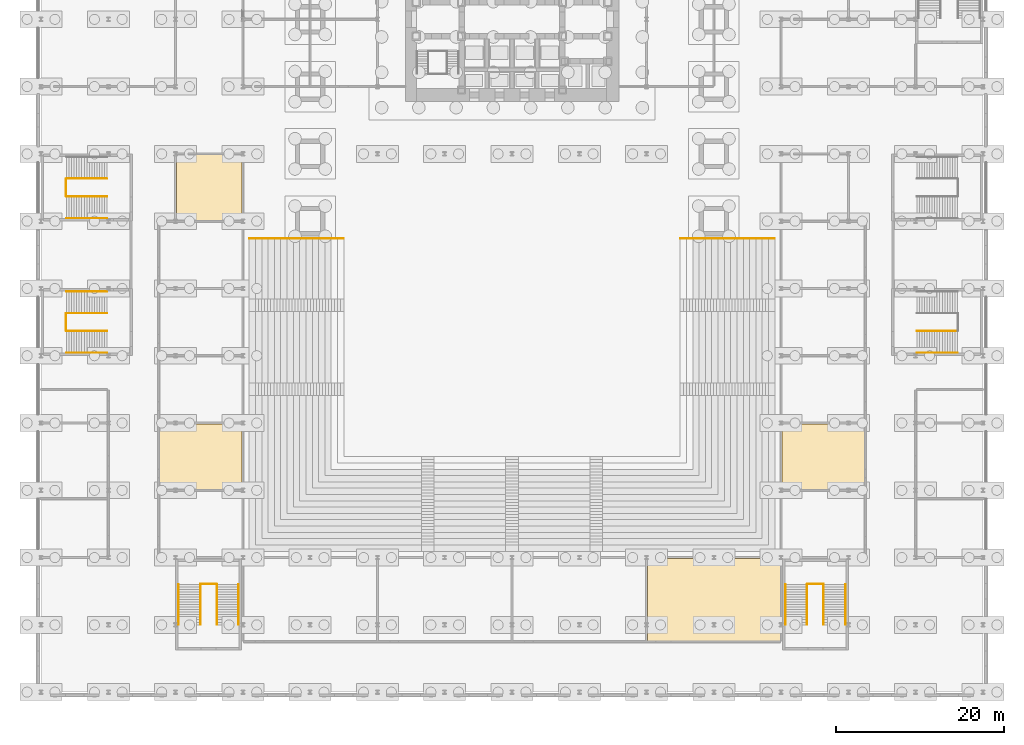
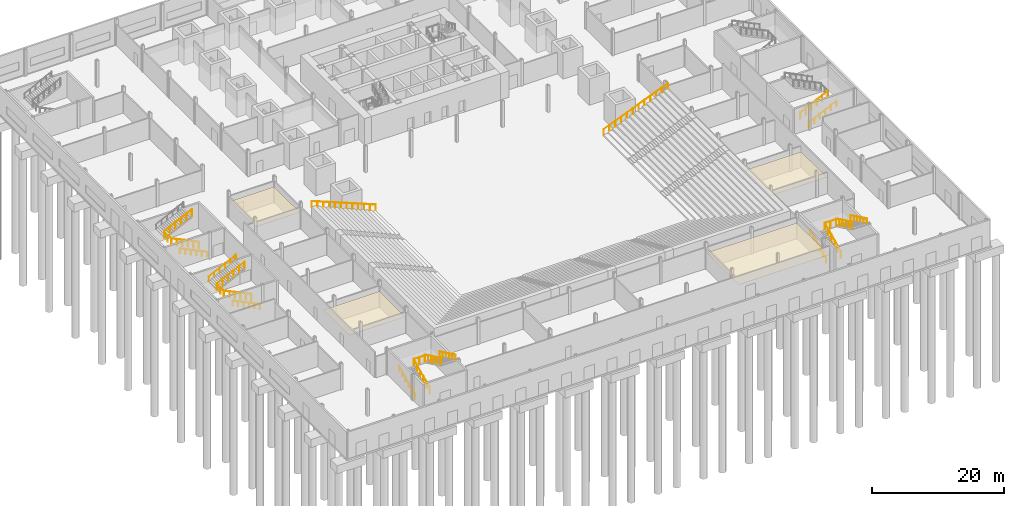
# One storey, part 21 of 24: 23 railings, 4 coverings.
"""IFC4 building model written with IfcOpenShell, lengths in metres."""

from ifc_helpers import new_model, si_unit, direction, frame, origin, origin_2d, place, context, subcontext, project, spatial, polyline, circle, outline, extrude, material, layer, layer_set, type_object, element, save


model = new_model("IFC4")

# Units and contexts
model_context = context("Model", 3, precision=1e-05, world=origin(), true_north=direction((0.0, 1.0)))
body_context = subcontext(model_context, "Body", "Model", "MODEL_VIEW")
ifc_project = project(units=[si_unit("LENGTHUNIT", "METRE"), si_unit("AREAUNIT", "SQUARE_METRE"), si_unit("VOLUMEUNIT", "CUBIC_METRE"), si_unit("PLANEANGLEUNIT", "RADIAN"), si_unit("MASSUNIT", "GRAM", prefix="KILO")], contexts=[model_context])

# Site, building, storey
site_placement = place(None, origin())
site = spatial("IfcSite", under=ifc_project, at=site_placement, CompositionType="ELEMENT")
building_placement = place(site_placement, origin())
building = spatial("IfcBuilding", under=site, at=building_placement, Name="Daluyong Arena Tower", CompositionType="ELEMENT")
storey_placement = place(building_placement, origin())
storey = spatial("IfcBuildingStorey", under=building, at=storey_placement, Name="L00", CompositionType="ELEMENT", Elevation=0.0)

# Railings
ifc_material_1 = material(Name="Steel guard with glass infill", Category="steel")
railing_type_1 = type_object("IfcRailingType", Name="Floor edge guard 1100", PredefinedType="GUARDRAIL", material=ifc_material_1)
railing_1_placement = place(storey_placement, frame((36.0, 53.949951171875, 0.32666015625)))
element("IfcRailing", 1, at=railing_1_placement, inside=storey, type_object=railing_type_1, Name="bowl guard", PredefinedType="GUARDRAIL", context=body_context, shape_type="SweptSolid", body=[
    extrude(circle(Radius=0.02392578125, at=origin_2d()), frame((0.0, 0.0, 1.076171875), z_axis=(-0.92638243152, 0.0, 0.37658410823), x_axis=(0.0, -1.0, 0.0)), (0.0, 0.0, 1.0), 12.14404296875),
    extrude(circle(Radius=0.02099609375, at=origin_2d()), origin(), (0.0, 0.0, 1.0), 1.052001953125),
    extrude(circle(Radius=0.02099609375, at=origin_2d()), frame((-1.022705078125, 0.0, 0.415771484375)), (0.0, 0.0, 1.0), 1.052001953125),
    extrude(circle(Radius=0.02099609375, at=origin_2d()), frame((-2.04541015625, 0.0, 0.83154296875)), (0.0, 0.0, 1.0), 1.052001953125),
    extrude(circle(Radius=0.02099609375, at=origin_2d()), frame((-3.068115234375, 0.0, 1.247314453125)), (0.0, 0.0, 1.0), 1.052001953125),
    extrude(circle(Radius=0.02099609375, at=origin_2d()), frame((-4.0908203125, 0.0, 1.6630859375)), (0.0, 0.0, 1.0), 1.052001953125),
    extrude(circle(Radius=0.02099609375, at=origin_2d()), frame((-5.113525390625, 0.0, 2.078857421875)), (0.0, 0.0, 1.0), 1.052001953125),
    extrude(circle(Radius=0.02099609375, at=origin_2d()), frame((-6.136474609375, 0.0, 2.494384765625)), (0.0, 0.0, 1.0), 1.052001953125),
    extrude(circle(Radius=0.02099609375, at=origin_2d()), frame((-7.1591796875, 0.0, 2.91015625)), (0.0, 0.0, 1.0), 1.052001953125),
    extrude(circle(Radius=0.02099609375, at=origin_2d()), frame((-8.181884765625, 0.0, 3.325927734375)), (0.0, 0.0, 1.0), 1.052001953125),
    extrude(circle(Radius=0.02099609375, at=origin_2d()), frame((-9.20458984375, 0.0, 3.74169921875)), (0.0, 0.0, 1.0), 1.052001953125),
    extrude(circle(Radius=0.02099609375, at=origin_2d()), frame((-10.227294921875, 0.0, 4.157470703125)), (0.0, 0.0, 1.0), 1.052001953125),
    extrude(circle(Radius=0.02099609375, at=origin_2d()), frame((-11.25, 0.0, 4.5732421875)), (0.0, 0.0, 1.0), 1.052001953125),
])
railing_2_placement = place(storey_placement, frame((76.0, 53.949951171875, 0.32666015625)))
element("IfcRailing", 2, at=railing_2_placement, inside=storey, type_object=railing_type_1, Name="bowl guard", PredefinedType="GUARDRAIL", context=body_context, shape_type="SweptSolid", body=[
    extrude(circle(Radius=0.02392578125, at=origin_2d()), frame((0.0, 0.0, 1.076171875), z_axis=(0.92638243152, 0.0, 0.37658410823), x_axis=(0.0, 1.0, 0.0)), (0.0, 0.0, 1.0), 12.14404296875),
    extrude(circle(Radius=0.02099609375, at=origin_2d()), origin(), (0.0, 0.0, 1.0), 1.052001953125),
    extrude(circle(Radius=0.02099609375, at=origin_2d()), frame((1.022705078125, 0.0, 0.415771484375)), (0.0, 0.0, 1.0), 1.052001953125),
    extrude(circle(Radius=0.02099609375, at=origin_2d()), frame((2.04541015625, 0.0, 0.83154296875)), (0.0, 0.0, 1.0), 1.052001953125),
    extrude(circle(Radius=0.02099609375, at=origin_2d()), frame((3.068115234375, 0.0, 1.247314453125)), (0.0, 0.0, 1.0), 1.052001953125),
    extrude(circle(Radius=0.02099609375, at=origin_2d()), frame((4.0908203125, 0.0, 1.6630859375)), (0.0, 0.0, 1.0), 1.052001953125),
    extrude(circle(Radius=0.02099609375, at=origin_2d()), frame((5.113525390625, 0.0, 2.078857421875)), (0.0, 0.0, 1.0), 1.052001953125),
    extrude(circle(Radius=0.02099609375, at=origin_2d()), frame((6.136474609375, 0.0, 2.494384765625)), (0.0, 0.0, 1.0), 1.052001953125),
    extrude(circle(Radius=0.02099609375, at=origin_2d()), frame((7.1591796875, 0.0, 2.91015625)), (0.0, 0.0, 1.0), 1.052001953125),
    extrude(circle(Radius=0.02099609375, at=origin_2d()), frame((8.181884765625, 0.0, 3.325927734375)), (0.0, 0.0, 1.0), 1.052001953125),
    extrude(circle(Radius=0.02099609375, at=origin_2d()), frame((9.20458984375, 0.0, 3.74169921875)), (0.0, 0.0, 1.0), 1.052001953125),
    extrude(circle(Radius=0.02099609375, at=origin_2d()), frame((10.227294921875, 0.0, 4.157470703125)), (0.0, 0.0, 1.0), 1.052001953125),
    extrude(circle(Radius=0.02099609375, at=origin_2d()), frame((11.25, 0.0, 4.5732421875)), (0.0, 0.0, 1.0), 1.052001953125),
])

# Coverings
ifc_material_2 = material(Name="Mineral fibre ceiling tile", Category="gypsum board")
ifc_layer = layer(ifc_material_2, 0.02001953125)
ifc_layer_set = layer_set([ifc_layer], Name="Mineral fibre ceiling tile")
covering_type = type_object("IfcCoveringType", Name="Office ceiling", PredefinedType="CEILING", material=ifc_layer_set)
covering_1_placement = place(storey_placement, frame((0.0, 0.0, 2.89990234375)))
element("IfcCovering", 3, at=covering_1_placement, inside=storey, type_object=covering_type, Name="ceiling L00-16", PredefinedType="CEILING", context=body_context, shape_type="SweptSolid", body=[
    extrude(outline(polyline([(23.89990234375, 56.10009765625), (23.89990234375, 63.89990234375), (16.10009765625, 63.89990234375), (16.10009765625, 56.10009765625), (23.89990234375, 56.10009765625)])), origin(), (0.0, 0.0, 1.0), 0.02001953125),
])
covering_2_placement = place(storey_placement, frame((0.0, 0.0, 2.89990234375)))
element("IfcCovering", 4, at=covering_2_placement, inside=storey, type_object=covering_type, Name="ceiling L00-26", PredefinedType="CEILING", context=body_context, shape_type="SweptSolid", body=[
    extrude(outline(polyline([(23.89990234375, 24.10009765625), (23.89990234375, 31.89990234375), (14.10009765625, 31.89990234375), (14.10009765625, 24.10009765625), (23.89990234375, 24.10009765625)])), origin(), (0.0, 0.0, 1.0), 0.02001953125),
])
covering_3_placement = place(storey_placement, frame((0.0, 0.0, 2.89990234375)))
element("IfcCovering", 5, at=covering_3_placement, inside=storey, type_object=covering_type, Name="ceiling L00-31", PredefinedType="CEILING", context=body_context, shape_type="SweptSolid", body=[
    extrude(outline(polyline([(97.89990234375, 24.10009765625), (97.89990234375, 31.89990234375), (88.10009765625, 31.89990234375), (88.10009765625, 24.10009765625), (97.89990234375, 24.10009765625)])), origin(), (0.0, 0.0, 1.0), 0.02001953125),
])
covering_4_placement = place(storey_placement, frame((0.0, 0.0, 2.89990234375)))
element("IfcCovering", 6, at=covering_4_placement, inside=storey, type_object=covering_type, Name="ceiling L00-38", PredefinedType="CEILING", context=body_context, shape_type="SweptSolid", body=[
    extrude(outline(polyline([(87.89990234375, 6.10009765625), (87.89990234375, 15.89990234375), (72.10009765625, 15.89990234375), (72.10009765625, 6.10009765625), (87.89990234375, 6.10009765625)])), origin(), (0.0, 0.0, 1.0), 0.02001953125),
])

# Railings
ifc_material_3 = material(Name="Stainless steel handrail", Category="steel")
railing_type_2 = type_object("IfcRailingType", Name="Stair handrail", PredefinedType="HANDRAIL", material=ifc_material_3)
railing_3_placement = place(storey_placement, frame((16.35009765625, 8.010009765625, 0.14404296875)))
element("IfcRailing", 7, at=railing_3_placement, inside=storey, type_object=railing_type_2, Name="exit stair PS1 handrail L00", PredefinedType="HANDRAIL", context=body_context, shape_type="SweptSolid", body=[
    extrude(circle(Radius=0.02392578125, at=origin_2d()), frame((0.0, 0.0, 0.8759765625), z_axis=(0.0, 0.901384935985, 0.433018703036), x_axis=(-1.0, 0.0, 0.0)), (0.0, 0.0, 1.0), 5.3251953125),
    extrude(circle(Radius=0.02099609375, at=origin_2d()), origin(), (0.0, 0.0, 1.0), 0.851806640625),
    extrude(circle(Radius=0.02099609375, at=origin_2d()), frame((0.0, 0.9599609375, 0.461181640625)), (0.0, 0.0, 1.0), 0.851806640625),
    extrude(circle(Radius=0.02099609375, at=origin_2d()), frame((0.0, 1.919921875, 0.92236328125)), (0.0, 0.0, 1.0), 0.851806640625),
    extrude(circle(Radius=0.02099609375, at=origin_2d()), frame((0.0, 2.880126953125, 1.383544921875)), (0.0, 0.0, 1.0), 0.851806640625),
    extrude(circle(Radius=0.02099609375, at=origin_2d()), frame((0.0, 3.840087890625, 1.8447265625)), (0.0, 0.0, 1.0), 0.851806640625),
    extrude(circle(Radius=0.02099609375, at=origin_2d()), frame((0.0, 4.800048828125, 2.305908203125)), (0.0, 0.0, 1.0), 0.851806640625),
])
railing_4_placement = place(storey_placement, frame((23.5, 12.81005859375, 2.59423828125)))
element("IfcRailing", 8, at=railing_4_placement, inside=storey, type_object=railing_type_2, Name="exit stair PS1 handrail L00", PredefinedType="HANDRAIL", context=body_context, shape_type="SweptSolid", body=[
    extrude(circle(Radius=0.02392578125, at=origin_2d()), frame((0.0, 0.0, 0.8759765625), z_axis=(0.0, -0.901402830156, 0.432981452011), x_axis=(1.0, 0.0, 0.0)), (0.0, 0.0, 1.0), 5.3251953125),
    extrude(circle(Radius=0.02099609375, at=origin_2d()), origin(), (0.0, 0.0, 1.0), 0.851806640625),
    extrude(circle(Radius=0.02099609375, at=origin_2d()), frame((0.0, -0.9599609375, 0.461181640625)), (0.0, 0.0, 1.0), 0.851806640625),
    extrude(circle(Radius=0.02099609375, at=origin_2d()), frame((0.0, -1.919921875, 0.92236328125)), (0.0, 0.0, 1.0), 0.851806640625),
    extrude(circle(Radius=0.02099609375, at=origin_2d()), frame((0.0, -2.880126953125, 1.38330078125)), (0.0, 0.0, 1.0), 0.851806640625),
    extrude(circle(Radius=0.02099609375, at=origin_2d()), frame((0.0, -3.840087890625, 1.844482421875)), (0.0, 0.0, 1.0), 0.851806640625),
    extrude(circle(Radius=0.02099609375, at=origin_2d()), frame((0.0, -4.800048828125, 2.3056640625)), (0.0, 0.0, 1.0), 0.851806640625),
])
railing_5_placement = place(storey_placement, frame((88.5, 8.010009765625, 0.14404296875)))
element("IfcRailing", 9, at=railing_5_placement, inside=storey, type_object=railing_type_2, Name="exit stair PS2 handrail L00", PredefinedType="HANDRAIL", context=body_context, shape_type="SweptSolid", body=[
    extrude(circle(Radius=0.02392578125, at=origin_2d()), frame((0.0, 0.0, 0.8759765625), z_axis=(0.0, 0.901384935985, 0.433018703036), x_axis=(-1.0, 0.0, 0.0)), (0.0, 0.0, 1.0), 5.3251953125),
    extrude(circle(Radius=0.02099609375, at=origin_2d()), origin(), (0.0, 0.0, 1.0), 0.851806640625),
    extrude(circle(Radius=0.02099609375, at=origin_2d()), frame((0.0, 0.9599609375, 0.461181640625)), (0.0, 0.0, 1.0), 0.851806640625),
    extrude(circle(Radius=0.02099609375, at=origin_2d()), frame((0.0, 1.919921875, 0.92236328125)), (0.0, 0.0, 1.0), 0.851806640625),
    extrude(circle(Radius=0.02099609375, at=origin_2d()), frame((0.0, 2.880126953125, 1.383544921875)), (0.0, 0.0, 1.0), 0.851806640625),
    extrude(circle(Radius=0.02099609375, at=origin_2d()), frame((0.0, 3.840087890625, 1.8447265625)), (0.0, 0.0, 1.0), 0.851806640625),
    extrude(circle(Radius=0.02099609375, at=origin_2d()), frame((0.0, 4.800048828125, 2.305908203125)), (0.0, 0.0, 1.0), 0.851806640625),
])
railing_6_placement = place(storey_placement, frame((95.64990234375, 12.81005859375, 2.59423828125)))
element("IfcRailing", 10, at=railing_6_placement, inside=storey, type_object=railing_type_2, Name="exit stair PS2 handrail L00", PredefinedType="HANDRAIL", context=body_context, shape_type="SweptSolid", body=[
    extrude(circle(Radius=0.02392578125, at=origin_2d()), frame((0.0, 0.0, 0.8759765625), z_axis=(0.0, -0.901402830156, 0.432981452011), x_axis=(1.0, 0.0, 0.0)), (0.0, 0.0, 1.0), 5.3251953125),
    extrude(circle(Radius=0.02099609375, at=origin_2d()), origin(), (0.0, 0.0, 1.0), 0.851806640625),
    extrude(circle(Radius=0.02099609375, at=origin_2d()), frame((0.0, -0.9599609375, 0.461181640625)), (0.0, 0.0, 1.0), 0.851806640625),
    extrude(circle(Radius=0.02099609375, at=origin_2d()), frame((0.0, -1.919921875, 0.92236328125)), (0.0, 0.0, 1.0), 0.851806640625),
    extrude(circle(Radius=0.02099609375, at=origin_2d()), frame((0.0, -2.880126953125, 1.38330078125)), (0.0, 0.0, 1.0), 0.851806640625),
    extrude(circle(Radius=0.02099609375, at=origin_2d()), frame((0.0, -3.840087890625, 1.844482421875)), (0.0, 0.0, 1.0), 0.851806640625),
    extrude(circle(Radius=0.02099609375, at=origin_2d()), frame((0.0, -4.800048828125, 2.3056640625)), (0.0, 0.0, 1.0), 0.851806640625),
])
railing_7_placement = place(storey_placement, frame((7.840087890625, 40.35009765625, 0.14404296875)))
element("IfcRailing", 11, at=railing_7_placement, inside=storey, type_object=railing_type_2, Name="exit stair PS3 handrail L00", PredefinedType="HANDRAIL", context=body_context, shape_type="SweptSolid", body=[
    extrude(circle(Radius=0.02392578125, at=origin_2d()), frame((0.0, 0.0, 0.8759765625), z_axis=(-0.901384935985, 0.0, 0.433018703036), x_axis=(0.0, -1.0, 0.0)), (0.0, 0.0, 1.0), 5.3251953125),
    extrude(circle(Radius=0.02099609375, at=origin_2d()), origin(), (0.0, 0.0, 1.0), 0.851806640625),
    extrude(circle(Radius=0.02099609375, at=origin_2d()), frame((-0.9599609375, 0.0, 0.461181640625)), (0.0, 0.0, 1.0), 0.851806640625),
    extrude(circle(Radius=0.02099609375, at=origin_2d()), frame((-1.919921875, 0.0, 0.92236328125)), (0.0, 0.0, 1.0), 0.851806640625),
    extrude(circle(Radius=0.02099609375, at=origin_2d()), frame((-2.880126953125, 0.0, 1.383544921875)), (0.0, 0.0, 1.0), 0.851806640625),
    extrude(circle(Radius=0.02099609375, at=origin_2d()), frame((-3.840087890625, 0.0, 1.8447265625)), (0.0, 0.0, 1.0), 0.851806640625),
    extrude(circle(Radius=0.02099609375, at=origin_2d()), frame((-4.800048828125, 0.0, 2.305908203125)), (0.0, 0.0, 1.0), 0.851806640625),
])
railing_8_placement = place(storey_placement, frame((3.0400390625, 47.64990234375, 2.59423828125)))
element("IfcRailing", 12, at=railing_8_placement, inside=storey, type_object=railing_type_2, Name="exit stair PS3 handrail L00", PredefinedType="HANDRAIL", context=body_context, shape_type="SweptSolid", body=[
    extrude(circle(Radius=0.02392578125, at=origin_2d()), frame((0.0, 0.0, 0.8759765625), z_axis=(0.901402830156, 0.0, 0.432981452011), x_axis=(0.0, 1.0, 0.0)), (0.0, 0.0, 1.0), 5.3251953125),
    extrude(circle(Radius=0.02099609375, at=origin_2d()), origin(), (0.0, 0.0, 1.0), 0.851806640625),
    extrude(circle(Radius=0.02099609375, at=origin_2d()), frame((0.9599609375, 0.0, 0.461181640625)), (0.0, 0.0, 1.0), 0.851806640625),
    extrude(circle(Radius=0.02099609375, at=origin_2d()), frame((1.919921875, 0.0, 0.92236328125)), (0.0, 0.0, 1.0), 0.851806640625),
    extrude(circle(Radius=0.02099609375, at=origin_2d()), frame((2.880126953125, 0.0, 1.38330078125)), (0.0, 0.0, 1.0), 0.851806640625),
    extrude(circle(Radius=0.02099609375, at=origin_2d()), frame((3.840087890625, 0.0, 1.844482421875)), (0.0, 0.0, 1.0), 0.851806640625),
    extrude(circle(Radius=0.02099609375, at=origin_2d()), frame((4.800048828125, 0.0, 2.3056640625)), (0.0, 0.0, 1.0), 0.851806640625),
])
railing_9_placement = place(storey_placement, frame((104.159912109375, 40.35009765625, 0.14404296875)))
element("IfcRailing", 13, at=railing_9_placement, inside=storey, type_object=railing_type_2, Name="exit stair PS4 handrail L00", PredefinedType="HANDRAIL", context=body_context, shape_type="SweptSolid", body=[
    extrude(circle(Radius=0.02392578125, at=origin_2d()), frame((0.0, 0.0, 0.8759765625), z_axis=(0.901384935985, 0.0, 0.433018703036), x_axis=(0.0, 1.0, 0.0)), (0.0, 0.0, 1.0), 5.3251953125),
    extrude(circle(Radius=0.02099609375, at=origin_2d()), origin(), (0.0, 0.0, 1.0), 0.851806640625),
    extrude(circle(Radius=0.02099609375, at=origin_2d()), frame((0.9599609375, 0.0, 0.461181640625)), (0.0, 0.0, 1.0), 0.851806640625),
    extrude(circle(Radius=0.02099609375, at=origin_2d()), frame((1.919921875, 0.0, 0.92236328125)), (0.0, 0.0, 1.0), 0.851806640625),
    extrude(circle(Radius=0.02099609375, at=origin_2d()), frame((2.880126953125, 0.0, 1.383544921875)), (0.0, 0.0, 1.0), 0.851806640625),
    extrude(circle(Radius=0.02099609375, at=origin_2d()), frame((3.840087890625, 0.0, 1.8447265625)), (0.0, 0.0, 1.0), 0.851806640625),
    extrude(circle(Radius=0.02099609375, at=origin_2d()), frame((4.800048828125, 0.0, 2.305908203125)), (0.0, 0.0, 1.0), 0.851806640625),
])
railing_10_placement = place(storey_placement, frame((7.840087890625, 56.35009765625, 0.14404296875)))
element("IfcRailing", 14, at=railing_10_placement, inside=storey, type_object=railing_type_2, Name="exit stair PS7 handrail L00", PredefinedType="HANDRAIL", context=body_context, shape_type="SweptSolid", body=[
    extrude(circle(Radius=0.02392578125, at=origin_2d()), frame((0.0, 0.0, 0.8759765625), z_axis=(-0.901384935985, 0.0, 0.433018703036), x_axis=(0.0, -1.0, 0.0)), (0.0, 0.0, 1.0), 5.3251953125),
    extrude(circle(Radius=0.02099609375, at=origin_2d()), origin(), (0.0, 0.0, 1.0), 0.851806640625),
    extrude(circle(Radius=0.02099609375, at=origin_2d()), frame((-0.9599609375, 0.0, 0.461181640625)), (0.0, 0.0, 1.0), 0.851806640625),
    extrude(circle(Radius=0.02099609375, at=origin_2d()), frame((-1.919921875, 0.0, 0.92236328125)), (0.0, 0.0, 1.0), 0.851806640625),
    extrude(circle(Radius=0.02099609375, at=origin_2d()), frame((-2.880126953125, 0.0, 1.383544921875)), (0.0, 0.0, 1.0), 0.851806640625),
    extrude(circle(Radius=0.02099609375, at=origin_2d()), frame((-3.840087890625, 0.0, 1.8447265625)), (0.0, 0.0, 1.0), 0.851806640625),
    extrude(circle(Radius=0.02099609375, at=origin_2d()), frame((-4.800048828125, 0.0, 2.305908203125)), (0.0, 0.0, 1.0), 0.851806640625),
])
ifc_material_4 = material(Name="Steel balustrade", Category="steel")
railing_type_3 = type_object("IfcRailingType", Name="Stair well guard 1200", PredefinedType="GUARDRAIL", material=ifc_material_4)
railing_11_placement = place(storey_placement, frame((18.949951171875, 8.010009765625, 0.14404296875)))
element("IfcRailing", 15, at=railing_11_placement, inside=storey, type_object=railing_type_3, Name="exit stair PS1 well guard L00", PredefinedType="GUARDRAIL", context=body_context, shape_type="SweptSolid", body=[
    extrude(circle(Radius=0.02392578125, at=origin_2d()), frame((0.0, 0.0, 1.17578125), z_axis=(0.0, 0.901384935985, 0.433018703036), x_axis=(-1.0, 0.0, 0.0)), (0.0, 0.0, 1.0), 5.3251953125),
    extrude(circle(Radius=0.02099609375, at=origin_2d()), origin(), (0.0, 0.0, 1.0), 1.15185546875),
    extrude(circle(Radius=0.02099609375, at=origin_2d()), frame((0.0, 0.9599609375, 0.461181640625)), (0.0, 0.0, 1.0), 1.15185546875),
    extrude(circle(Radius=0.02099609375, at=origin_2d()), frame((0.0, 1.919921875, 0.92236328125)), (0.0, 0.0, 1.0), 1.15185546875),
    extrude(circle(Radius=0.02099609375, at=origin_2d()), frame((0.0, 2.880126953125, 1.383544921875)), (0.0, 0.0, 1.0), 1.15185546875),
    extrude(circle(Radius=0.02099609375, at=origin_2d()), frame((0.0, 3.840087890625, 1.8447265625)), (0.0, 0.0, 1.0), 1.15185546875),
    extrude(circle(Radius=0.02099609375, at=origin_2d()), frame((0.0, 4.800048828125, 2.305908203125)), (0.0, 0.0, 1.0), 1.15185546875),
])
railing_12_placement = place(storey_placement, frame((20.89990234375, 12.81005859375, 2.59423828125)))
element("IfcRailing", 16, at=railing_12_placement, inside=storey, type_object=railing_type_3, Name="exit stair PS1 well guard L00", PredefinedType="GUARDRAIL", context=body_context, shape_type="SweptSolid", body=[
    extrude(circle(Radius=0.02392578125, at=origin_2d()), frame((0.0, 0.0, 1.17578125), z_axis=(0.0, -0.901402830156, 0.432981452011), x_axis=(1.0, 0.0, 0.0)), (0.0, 0.0, 1.0), 5.3251953125),
    extrude(circle(Radius=0.02099609375, at=origin_2d()), origin(), (0.0, 0.0, 1.0), 1.15185546875),
    extrude(circle(Radius=0.02099609375, at=origin_2d()), frame((0.0, -0.9599609375, 0.461181640625)), (0.0, 0.0, 1.0), 1.15185546875),
    extrude(circle(Radius=0.02099609375, at=origin_2d()), frame((0.0, -1.919921875, 0.92236328125)), (0.0, 0.0, 1.0), 1.15185546875),
    extrude(circle(Radius=0.02099609375, at=origin_2d()), frame((0.0, -2.880126953125, 1.38330078125)), (0.0, 0.0, 1.0), 1.15185546875),
    extrude(circle(Radius=0.02099609375, at=origin_2d()), frame((0.0, -3.840087890625, 1.844482421875)), (0.0, 0.0, 1.0), 1.15185546875),
    extrude(circle(Radius=0.02099609375, at=origin_2d()), frame((0.0, -4.800048828125, 2.3056640625)), (0.0, 0.0, 1.0), 1.15185546875),
])
railing_13_placement = place(storey_placement, frame((18.949951171875, 12.860107421875, 2.449951171875)))
element("IfcRailing", 17, at=railing_13_placement, inside=storey, type_object=railing_type_3, Name="exit stair PS1 landing guard L00", PredefinedType="GUARDRAIL", context=body_context, shape_type="SweptSolid", body=[
    extrude(circle(Radius=0.02392578125, at=origin_2d()), frame((0.0, 0.0, 1.17578125), z_axis=(1.0, 0.0, 0.0), x_axis=(0.0, 1.0, 0.0)), (0.0, 0.0, 1.0), 1.949951171875),
    extrude(circle(Radius=0.02099609375, at=origin_2d()), origin(), (0.0, 0.0, 1.0), 1.15185546875),
    extrude(circle(Radius=0.02099609375, at=origin_2d()), frame((0.97509765625, 0.0, 0.0)), (0.0, 0.0, 1.0), 1.15185546875),
    extrude(circle(Radius=0.02099609375, at=origin_2d()), frame((1.949951171875, 0.0, 0.0)), (0.0, 0.0, 1.0), 1.15185546875),
])
railing_14_placement = place(storey_placement, frame((91.10009765625, 8.010009765625, 0.14404296875)))
element("IfcRailing", 18, at=railing_14_placement, inside=storey, type_object=railing_type_3, Name="exit stair PS2 well guard L00", PredefinedType="GUARDRAIL", context=body_context, shape_type="SweptSolid", body=[
    extrude(circle(Radius=0.02392578125, at=origin_2d()), frame((0.0, 0.0, 1.17578125), z_axis=(0.0, 0.901384935985, 0.433018703036), x_axis=(-1.0, 0.0, 0.0)), (0.0, 0.0, 1.0), 5.3251953125),
    extrude(circle(Radius=0.02099609375, at=origin_2d()), origin(), (0.0, 0.0, 1.0), 1.15185546875),
    extrude(circle(Radius=0.02099609375, at=origin_2d()), frame((0.0, 0.9599609375, 0.461181640625)), (0.0, 0.0, 1.0), 1.15185546875),
    extrude(circle(Radius=0.02099609375, at=origin_2d()), frame((0.0, 1.919921875, 0.92236328125)), (0.0, 0.0, 1.0), 1.15185546875),
    extrude(circle(Radius=0.02099609375, at=origin_2d()), frame((0.0, 2.880126953125, 1.383544921875)), (0.0, 0.0, 1.0), 1.15185546875),
    extrude(circle(Radius=0.02099609375, at=origin_2d()), frame((0.0, 3.840087890625, 1.8447265625)), (0.0, 0.0, 1.0), 1.15185546875),
    extrude(circle(Radius=0.02099609375, at=origin_2d()), frame((0.0, 4.800048828125, 2.305908203125)), (0.0, 0.0, 1.0), 1.15185546875),
])
railing_15_placement = place(storey_placement, frame((93.050048828125, 12.81005859375, 2.59423828125)))
element("IfcRailing", 19, at=railing_15_placement, inside=storey, type_object=railing_type_3, Name="exit stair PS2 well guard L00", PredefinedType="GUARDRAIL", context=body_context, shape_type="SweptSolid", body=[
    extrude(circle(Radius=0.02392578125, at=origin_2d()), frame((0.0, 0.0, 1.17578125), z_axis=(0.0, -0.901402830156, 0.432981452011), x_axis=(1.0, 0.0, 0.0)), (0.0, 0.0, 1.0), 5.3251953125),
    extrude(circle(Radius=0.02099609375, at=origin_2d()), origin(), (0.0, 0.0, 1.0), 1.15185546875),
    extrude(circle(Radius=0.02099609375, at=origin_2d()), frame((0.0, -0.9599609375, 0.461181640625)), (0.0, 0.0, 1.0), 1.15185546875),
    extrude(circle(Radius=0.02099609375, at=origin_2d()), frame((0.0, -1.919921875, 0.92236328125)), (0.0, 0.0, 1.0), 1.15185546875),
    extrude(circle(Radius=0.02099609375, at=origin_2d()), frame((0.0, -2.880126953125, 1.38330078125)), (0.0, 0.0, 1.0), 1.15185546875),
    extrude(circle(Radius=0.02099609375, at=origin_2d()), frame((0.0, -3.840087890625, 1.844482421875)), (0.0, 0.0, 1.0), 1.15185546875),
    extrude(circle(Radius=0.02099609375, at=origin_2d()), frame((0.0, -4.800048828125, 2.3056640625)), (0.0, 0.0, 1.0), 1.15185546875),
])
railing_16_placement = place(storey_placement, frame((91.10009765625, 12.860107421875, 2.449951171875)))
element("IfcRailing", 20, at=railing_16_placement, inside=storey, type_object=railing_type_3, Name="exit stair PS2 landing guard L00", PredefinedType="GUARDRAIL", context=body_context, shape_type="SweptSolid", body=[
    extrude(circle(Radius=0.02392578125, at=origin_2d()), frame((0.0, 0.0, 1.17578125), z_axis=(1.0, 0.0, 0.0), x_axis=(0.0, 1.0, 0.0)), (0.0, 0.0, 1.0), 1.949951171875),
    extrude(circle(Radius=0.02099609375, at=origin_2d()), origin(), (0.0, 0.0, 1.0), 1.15185546875),
    extrude(circle(Radius=0.02099609375, at=origin_2d()), frame((0.97509765625, 0.0, 0.0)), (0.0, 0.0, 1.0), 1.15185546875),
    extrude(circle(Radius=0.02099609375, at=origin_2d()), frame((1.949951171875, 0.0, 0.0)), (0.0, 0.0, 1.0), 1.15185546875),
])
railing_17_placement = place(storey_placement, frame((7.840087890625, 42.949951171875, 0.14404296875)))
element("IfcRailing", 21, at=railing_17_placement, inside=storey, type_object=railing_type_3, Name="exit stair PS3 well guard L00", PredefinedType="GUARDRAIL", context=body_context, shape_type="SweptSolid", body=[
    extrude(circle(Radius=0.02392578125, at=origin_2d()), frame((0.0, 0.0, 1.17578125), z_axis=(-0.901384935985, 0.0, 0.433018703036), x_axis=(0.0, -1.0, 0.0)), (0.0, 0.0, 1.0), 5.3251953125),
    extrude(circle(Radius=0.02099609375, at=origin_2d()), origin(), (0.0, 0.0, 1.0), 1.15185546875),
    extrude(circle(Radius=0.02099609375, at=origin_2d()), frame((-0.9599609375, 0.0, 0.461181640625)), (0.0, 0.0, 1.0), 1.15185546875),
    extrude(circle(Radius=0.02099609375, at=origin_2d()), frame((-1.919921875, 0.0, 0.92236328125)), (0.0, 0.0, 1.0), 1.15185546875),
    extrude(circle(Radius=0.02099609375, at=origin_2d()), frame((-2.880126953125, 0.0, 1.383544921875)), (0.0, 0.0, 1.0), 1.15185546875),
    extrude(circle(Radius=0.02099609375, at=origin_2d()), frame((-3.840087890625, 0.0, 1.8447265625)), (0.0, 0.0, 1.0), 1.15185546875),
    extrude(circle(Radius=0.02099609375, at=origin_2d()), frame((-4.800048828125, 0.0, 2.305908203125)), (0.0, 0.0, 1.0), 1.15185546875),
])
railing_18_placement = place(storey_placement, frame((3.0400390625, 45.050048828125, 2.59423828125)))
element("IfcRailing", 22, at=railing_18_placement, inside=storey, type_object=railing_type_3, Name="exit stair PS3 well guard L00", PredefinedType="GUARDRAIL", context=body_context, shape_type="SweptSolid", body=[
    extrude(circle(Radius=0.02392578125, at=origin_2d()), frame((0.0, 0.0, 1.17578125), z_axis=(0.901402830156, 0.0, 0.432981452011), x_axis=(0.0, 1.0, 0.0)), (0.0, 0.0, 1.0), 5.3251953125),
    extrude(circle(Radius=0.02099609375, at=origin_2d()), origin(), (0.0, 0.0, 1.0), 1.15185546875),
    extrude(circle(Radius=0.02099609375, at=origin_2d()), frame((0.9599609375, 0.0, 0.461181640625)), (0.0, 0.0, 1.0), 1.15185546875),
    extrude(circle(Radius=0.02099609375, at=origin_2d()), frame((1.919921875, 0.0, 0.92236328125)), (0.0, 0.0, 1.0), 1.15185546875),
    extrude(circle(Radius=0.02099609375, at=origin_2d()), frame((2.880126953125, 0.0, 1.38330078125)), (0.0, 0.0, 1.0), 1.15185546875),
    extrude(circle(Radius=0.02099609375, at=origin_2d()), frame((3.840087890625, 0.0, 1.844482421875)), (0.0, 0.0, 1.0), 1.15185546875),
    extrude(circle(Radius=0.02099609375, at=origin_2d()), frame((4.800048828125, 0.0, 2.3056640625)), (0.0, 0.0, 1.0), 1.15185546875),
])
railing_19_placement = place(storey_placement, frame((2.989990234375, 42.949951171875, 2.449951171875)))
element("IfcRailing", 23, at=railing_19_placement, inside=storey, type_object=railing_type_3, Name="exit stair PS3 landing guard L00", PredefinedType="GUARDRAIL", context=body_context, shape_type="SweptSolid", body=[
    extrude(circle(Radius=0.02392578125, at=origin_2d()), frame((0.0, 0.0, 1.17578125), z_axis=(0.0, 1.0, 0.0), x_axis=(-1.0, 0.0, 0.0)), (0.0, 0.0, 1.0), 2.10009765625),
    extrude(circle(Radius=0.02099609375, at=origin_2d()), origin(), (0.0, 0.0, 1.0), 1.15185546875),
    extrude(circle(Radius=0.02099609375, at=origin_2d()), frame((0.0, 1.050048828125, 0.0)), (0.0, 0.0, 1.0), 1.15185546875),
    extrude(circle(Radius=0.02099609375, at=origin_2d()), frame((0.0, 2.10009765625, 0.0)), (0.0, 0.0, 1.0), 1.15185546875),
])
railing_20_placement = place(storey_placement, frame((104.159912109375, 42.949951171875, 0.14404296875)))
element("IfcRailing", 24, at=railing_20_placement, inside=storey, type_object=railing_type_3, Name="exit stair PS4 well guard L00", PredefinedType="GUARDRAIL", context=body_context, shape_type="SweptSolid", body=[
    extrude(circle(Radius=0.02392578125, at=origin_2d()), frame((0.0, 0.0, 1.17578125), z_axis=(0.901384935985, 0.0, 0.433018703036), x_axis=(0.0, 1.0, 0.0)), (0.0, 0.0, 1.0), 5.3251953125),
    extrude(circle(Radius=0.02099609375, at=origin_2d()), origin(), (0.0, 0.0, 1.0), 1.15185546875),
    extrude(circle(Radius=0.02099609375, at=origin_2d()), frame((0.9599609375, 0.0, 0.461181640625)), (0.0, 0.0, 1.0), 1.15185546875),
    extrude(circle(Radius=0.02099609375, at=origin_2d()), frame((1.919921875, 0.0, 0.92236328125)), (0.0, 0.0, 1.0), 1.15185546875),
    extrude(circle(Radius=0.02099609375, at=origin_2d()), frame((2.880126953125, 0.0, 1.383544921875)), (0.0, 0.0, 1.0), 1.15185546875),
    extrude(circle(Radius=0.02099609375, at=origin_2d()), frame((3.840087890625, 0.0, 1.8447265625)), (0.0, 0.0, 1.0), 1.15185546875),
    extrude(circle(Radius=0.02099609375, at=origin_2d()), frame((4.800048828125, 0.0, 2.305908203125)), (0.0, 0.0, 1.0), 1.15185546875),
])
railing_21_placement = place(storey_placement, frame((7.840087890625, 58.949951171875, 0.14404296875)))
element("IfcRailing", 25, at=railing_21_placement, inside=storey, type_object=railing_type_3, Name="exit stair PS7 well guard L00", PredefinedType="GUARDRAIL", context=body_context, shape_type="SweptSolid", body=[
    extrude(circle(Radius=0.02392578125, at=origin_2d()), frame((0.0, 0.0, 1.17578125), z_axis=(-0.901384935985, 0.0, 0.433018703036), x_axis=(0.0, -1.0, 0.0)), (0.0, 0.0, 1.0), 5.3251953125),
    extrude(circle(Radius=0.02099609375, at=origin_2d()), origin(), (0.0, 0.0, 1.0), 1.15185546875),
    extrude(circle(Radius=0.02099609375, at=origin_2d()), frame((-0.9599609375, 0.0, 0.461181640625)), (0.0, 0.0, 1.0), 1.15185546875),
    extrude(circle(Radius=0.02099609375, at=origin_2d()), frame((-1.919921875, 0.0, 0.92236328125)), (0.0, 0.0, 1.0), 1.15185546875),
    extrude(circle(Radius=0.02099609375, at=origin_2d()), frame((-2.880126953125, 0.0, 1.383544921875)), (0.0, 0.0, 1.0), 1.15185546875),
    extrude(circle(Radius=0.02099609375, at=origin_2d()), frame((-3.840087890625, 0.0, 1.8447265625)), (0.0, 0.0, 1.0), 1.15185546875),
    extrude(circle(Radius=0.02099609375, at=origin_2d()), frame((-4.800048828125, 0.0, 2.305908203125)), (0.0, 0.0, 1.0), 1.15185546875),
])
railing_22_placement = place(storey_placement, frame((3.0400390625, 61.050048828125, 2.59423828125)))
element("IfcRailing", 26, at=railing_22_placement, inside=storey, type_object=railing_type_3, Name="exit stair PS7 well guard L00", PredefinedType="GUARDRAIL", context=body_context, shape_type="SweptSolid", body=[
    extrude(circle(Radius=0.02392578125, at=origin_2d()), frame((0.0, 0.0, 1.17578125), z_axis=(0.901402830156, 0.0, 0.432981452011), x_axis=(0.0, 1.0, 0.0)), (0.0, 0.0, 1.0), 5.3251953125),
    extrude(circle(Radius=0.02099609375, at=origin_2d()), origin(), (0.0, 0.0, 1.0), 1.15185546875),
    extrude(circle(Radius=0.02099609375, at=origin_2d()), frame((0.9599609375, 0.0, 0.461181640625)), (0.0, 0.0, 1.0), 1.15185546875),
    extrude(circle(Radius=0.02099609375, at=origin_2d()), frame((1.919921875, 0.0, 0.92236328125)), (0.0, 0.0, 1.0), 1.15185546875),
    extrude(circle(Radius=0.02099609375, at=origin_2d()), frame((2.880126953125, 0.0, 1.38330078125)), (0.0, 0.0, 1.0), 1.15185546875),
    extrude(circle(Radius=0.02099609375, at=origin_2d()), frame((3.840087890625, 0.0, 1.844482421875)), (0.0, 0.0, 1.0), 1.15185546875),
    extrude(circle(Radius=0.02099609375, at=origin_2d()), frame((4.800048828125, 0.0, 2.3056640625)), (0.0, 0.0, 1.0), 1.15185546875),
])
railing_23_placement = place(storey_placement, frame((2.989990234375, 58.949951171875, 2.449951171875)))
element("IfcRailing", 27, at=railing_23_placement, inside=storey, type_object=railing_type_3, Name="exit stair PS7 landing guard L00", PredefinedType="GUARDRAIL", context=body_context, shape_type="SweptSolid", body=[
    extrude(circle(Radius=0.02392578125, at=origin_2d()), frame((0.0, 0.0, 1.17578125), z_axis=(0.0, 1.0, 0.0), x_axis=(-1.0, 0.0, 0.0)), (0.0, 0.0, 1.0), 2.10009765625),
    extrude(circle(Radius=0.02099609375, at=origin_2d()), origin(), (0.0, 0.0, 1.0), 1.15185546875),
    extrude(circle(Radius=0.02099609375, at=origin_2d()), frame((0.0, 1.050048828125, 0.0)), (0.0, 0.0, 1.0), 1.15185546875),
    extrude(circle(Radius=0.02099609375, at=origin_2d()), frame((0.0, 2.10009765625, 0.0)), (0.0, 0.0, 1.0), 1.15185546875),
])

save(model, "model.ifc")
